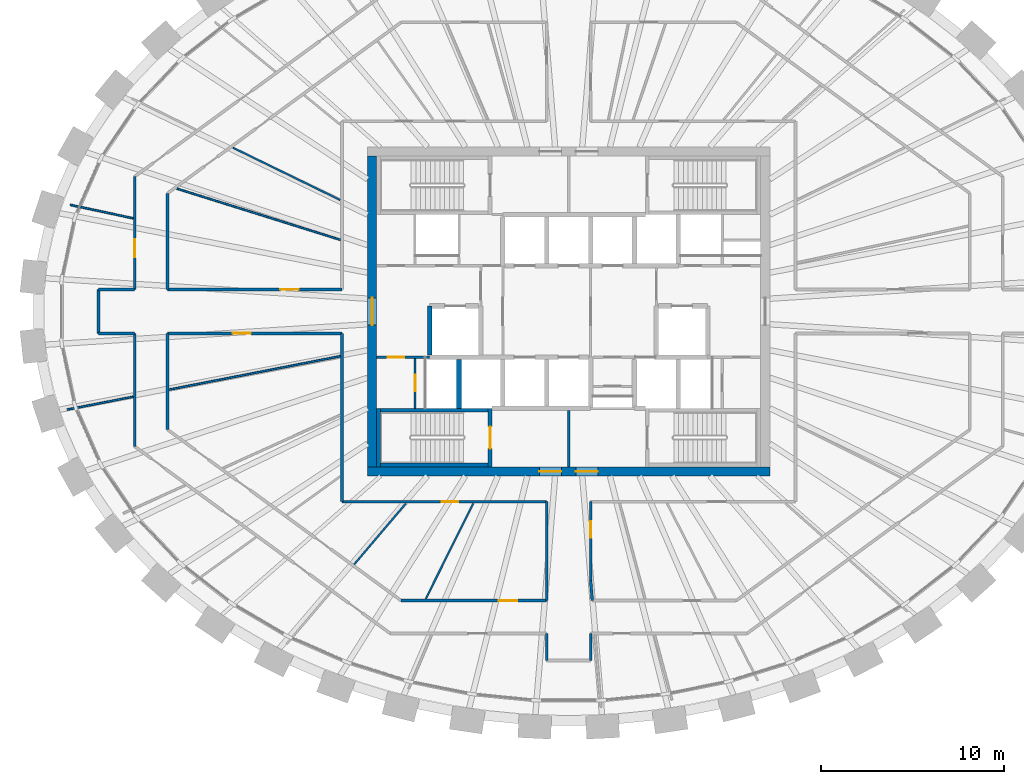
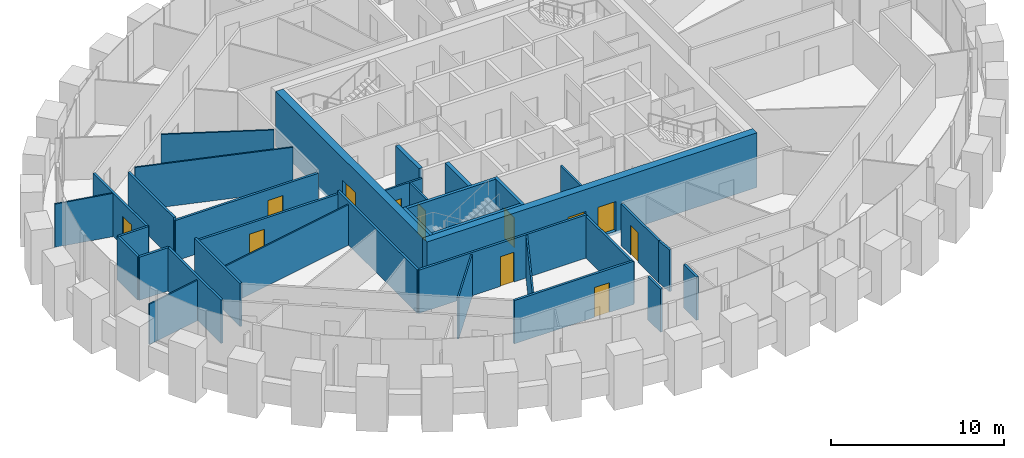
# One storey, part 6 of 11: 35 walls, 12 doors, 12 openings.
"""IFC4 building model written with IfcOpenShell, lengths in metres."""

from ifc_helpers import new_model, si_unit, direction, frame, frame_2d, origin, place, context, subcontext, project, spatial, rectangle, extrude, source, transform, mapped, material, layer, layer_set, type_object, element, fill, save


model = new_model("IFC4")

# Units and contexts
model_context = context("Model", 3, precision=1e-05, world=origin(), true_north=direction((0.0, 1.0)))
body_context = subcontext(model_context, "Body", "Model", "MODEL_VIEW")
ifc_project = project(units=[si_unit("LENGTHUNIT", "METRE"), si_unit("AREAUNIT", "SQUARE_METRE"), si_unit("VOLUMEUNIT", "CUBIC_METRE"), si_unit("PLANEANGLEUNIT", "RADIAN"), si_unit("MASSUNIT", "GRAM", prefix="KILO")], contexts=[model_context])

# Site, building, storey
site_placement = place(None, origin())
site = spatial("IfcSite", under=ifc_project, at=site_placement, CompositionType="ELEMENT")
building_placement = place(site_placement, origin())
building = spatial("IfcBuilding", under=site, at=building_placement, Name="Embergate Tower", CompositionType="ELEMENT")
storey_placement = place(building_placement, frame((0.0, 0.0, 328.60009765625)))
storey = spatial("IfcBuildingStorey", under=building, at=storey_placement, Name="L77", CompositionType="ELEMENT", Elevation=328.60009765625)

# Wall, openings, doors
ifc_material_1 = material(Name="Concrete C50", Category="concrete")
ifc_layer_1 = layer(ifc_material_1, 0.5)
ifc_layer_set_1 = layer_set([ifc_layer_1], Name="Concrete C50")
wall_type_1 = type_object("IfcWallType", Name="Core outer wall C50 500", PredefinedType="SHEAR", material=ifc_layer_set_1)
shared_shape_1 = source(origin(), body_context, "Body", "SweptSolid", [
    extrude(rectangle(XDim=22.0, YDim=0.5, at=frame_2d((11.0, 0.0))), origin(), (0.0, 0.0, 1.0), 3.85009765625),
])
wall_1_placement = place(storey_placement, frame((-11.0, -8.75, -0.2001953125), z_axis=(0.0, 0.0, 1.0), x_axis=(1.0, 0.0, 0.0)))
wall_1 = element("IfcWall", 1, at=wall_1_placement, inside=storey, type_object=wall_type_1, Name="CW-L77-S", PredefinedType="SHEAR", context=body_context, shape_type="MappedRepresentation", body=[
    mapped(shared_shape_1, transform((0.0, 0.0, 0.0))),
])
shared_shape_2 = source(origin(), body_context, "Body", "SweptSolid", [
    extrude(rectangle(XDim=1.199951171875, YDim=2.10009765625, at=frame_2d((0.60009765625, 1.050048828125))), frame((0.0, 0.260009765625, 0.0), z_axis=(0.0, -1.0, 0.0), x_axis=(1.0, 0.0, 0.0)), (0.0, 0.0, 1.0), 0.52001953125),
])
opening_1_placement = place(wall_1_placement, frame((9.39990234375, 0.0, 0.199951171875)))
opening_1 = element("IfcOpeningElement", 2, at=opening_1_placement, cuts=wall_1, Name="Opening IF-1", PredefinedType="OPENING", context=body_context, shape_type="MappedRepresentation", body=[
    mapped(shared_shape_2, transform((0.0, 0.0, 0.0))),
])
opening_2_placement = place(wall_1_placement, frame((11.39990234375, 0.0, 0.199951171875)))
opening_2 = element("IfcOpeningElement", 3, at=opening_2_placement, cuts=wall_1, Name="Opening IF-1", PredefinedType="OPENING", context=body_context, shape_type="MappedRepresentation", body=[
    mapped(shared_shape_2, transform((0.0, 0.0, 0.0))),
])
ifc_material_2 = material(Name="Escape fire door 1200")
door_type_1 = type_object("IfcDoorType", Name="Escape fire door 1200", OperationType="SINGLE_SWING_LEFT", PredefinedType="DOOR", material=ifc_material_2)
shared_shape_3 = source(origin(), body_context, "Body", "SweptSolid", [
    extrude(rectangle(XDim=1.199951171875, YDim=2.10009765625, at=frame_2d((0.60009765625, 1.050048828125))), frame((0.0, 0.02490234375, 0.0), z_axis=(0.0, -1.0, 0.0), x_axis=(1.0, 0.0, 0.0)), (0.0, 0.0, 1.0), 0.050048828125),
])
door_1_placement = place(opening_1_placement, origin())
door_1 = element("IfcDoor", 4, at=door_1_placement, inside=storey, type_object=door_type_1, Name="IF-1 door", OperationType="SINGLE_SWING_LEFT", OverallHeight=2.10009765625, OverallWidth=1.199951171875, PredefinedType="DOOR", context=body_context, shape_type="MappedRepresentation", body=[
    mapped(shared_shape_3, transform((0.0, 0.0, 0.0))),
])
fill(opening_1, door_1)
door_2_placement = place(opening_2_placement, origin())
door_2 = element("IfcDoor", 5, at=door_2_placement, inside=storey, type_object=door_type_1, Name="IF-1 door", OperationType="SINGLE_SWING_RIGHT", OverallHeight=2.10009765625, OverallWidth=1.199951171875, PredefinedType="DOOR", context=body_context, shape_type="MappedRepresentation", body=[
    mapped(shared_shape_3, transform((0.0, 0.0, 0.0))),
])
fill(opening_2, door_2)

# Wall, opening, door
shared_shape_4 = source(origin(), body_context, "Body", "SweptSolid", [
    extrude(rectangle(XDim=17.0, YDim=0.5, at=frame_2d((8.5, 0.0))), origin(), (0.0, 0.0, 1.0), 3.85009765625),
])
wall_2_placement = place(storey_placement, frame((-10.75, -8.5, -0.2001953125), z_axis=(0.0, 0.0, 1.0), x_axis=(0.0, 1.0, 0.0)))
wall_2 = element("IfcWall", 6, at=wall_2_placement, inside=storey, type_object=wall_type_1, Name="CW-L77-W", PredefinedType="SHEAR", context=body_context, shape_type="MappedRepresentation", body=[
    mapped(shared_shape_4, transform((0.0, 0.0, 0.0))),
])
shared_shape_5 = source(origin(), body_context, "Body", "SweptSolid", [
    extrude(rectangle(XDim=1.5, YDim=2.10009765625, at=frame_2d((0.75, 1.050048828125))), frame((0.0, 0.260009765625, 0.0), z_axis=(0.0, -1.0, 0.0), x_axis=(1.0, 0.0, 0.0)), (0.0, 0.0, 1.0), 0.52001953125),
])
opening_3_placement = place(wall_2_placement, frame((7.75, 0.0, 0.199951171875)))
opening_3 = element("IfcOpeningElement", 7, at=opening_3_placement, cuts=wall_2, Name="Opening IF-3", PredefinedType="OPENING", context=body_context, shape_type="MappedRepresentation", body=[
    mapped(shared_shape_5, transform((0.0, 0.0, 0.0))),
])
ifc_material_3 = material(Name="Lobby fire door pair 1500")
door_type_2 = type_object("IfcDoorType", Name="Lobby fire door pair 1500", OperationType="DOUBLE_DOOR_SINGLE_SWING", PredefinedType="DOOR", material=ifc_material_3)
shared_shape_6 = source(origin(), body_context, "Body", "SweptSolid", [
    extrude(rectangle(XDim=1.5, YDim=2.10009765625, at=frame_2d((0.75, 1.050048828125))), frame((0.0, 0.02490234375, 0.0), z_axis=(0.0, -1.0, 0.0), x_axis=(1.0, 0.0, 0.0)), (0.0, 0.0, 1.0), 0.050048828125),
])
door_3_placement = place(opening_3_placement, origin())
door_3 = element("IfcDoor", 8, at=door_3_placement, inside=storey, type_object=door_type_2, Name="IF-3 door", OperationType="DOUBLE_DOOR_SINGLE_SWING", OverallHeight=2.10009765625, OverallWidth=1.5, PredefinedType="DOOR", context=body_context, shape_type="MappedRepresentation", body=[
    mapped(shared_shape_6, transform((0.0, 0.0, 0.0))),
])
fill(opening_3, door_3)

# Wall
ifc_material_4 = material(Name="Corridor wall dry-lined 150")
ifc_layer_2 = layer(ifc_material_4, 0.14990234375)
ifc_layer_set_2 = layer_set([ifc_layer_2], Name="Corridor wall dry-lined 150")
wall_type_2 = type_object("IfcWallType", Name="Corridor wall dry-lined 150", PredefinedType="PARTITIONING", material=ifc_layer_set_2)
shared_shape_7 = source(origin(), body_context, "Body", "SweptSolid", [
    extrude(rectangle(XDim=6.178955078125, YDim=0.14990234375, at=frame_2d((3.08935546875, 0.0))), origin(), (0.0, 0.0, 1.0), 3.0498046875),
])
wall_3_placement = place(storey_placement, frame((-23.73291015625, -7.37890625, 0.0), z_axis=(0.0, 0.0, 1.0), x_axis=(0.0, 1.0, 0.0)))
element("IfcWall", 9, at=wall_3_placement, inside=storey, type_object=wall_type_2, Name="IP-2 wall", PredefinedType="PARTITIONING", context=body_context, shape_type="MappedRepresentation", body=[
    mapped(shared_shape_7, transform((0.0, 0.0, 0.0))),
])

# Wall, opening, door
wall_4_placement = place(storey_placement, frame((-23.73291015625, 1.199951171875, 0.0), z_axis=(0.0, 0.0, 1.0), x_axis=(0.0, 1.0, 0.0)))
wall_4 = element("IfcWall", 10, at=wall_4_placement, inside=storey, type_object=wall_type_2, Name="IP-2 wall", PredefinedType="PARTITIONING", context=body_context, shape_type="MappedRepresentation", body=[
    mapped(shared_shape_7, transform((0.0, 0.0, 0.0))),
])
shared_shape_8 = source(origin(), body_context, "Body", "SweptSolid", [
    extrude(rectangle(XDim=1.0, YDim=2.10009765625, at=frame_2d((0.5, 1.050048828125))), frame((0.0, 0.0849609375, 0.0), z_axis=(0.0, -1.0, 0.0), x_axis=(1.0, 0.0, 0.0)), (0.0, 0.0, 1.0), 0.169921875),
])
opening_4_placement = place(wall_4_placement, frame((1.757080078125, 0.0, 0.0)))
opening_4 = element("IfcOpeningElement", 11, at=opening_4_placement, cuts=wall_4, Name="Opening ID-2", PredefinedType="OPENING", context=body_context, shape_type="MappedRepresentation", body=[
    mapped(shared_shape_8, transform((0.0, 0.0, 0.0))),
])
ifc_material_5 = material(Name="Interior door 1000")
door_type_3 = type_object("IfcDoorType", Name="Interior door 1000", OperationType="SINGLE_SWING_LEFT", PredefinedType="DOOR", material=ifc_material_5)
shared_shape_9 = source(origin(), body_context, "Body", "SweptSolid", [
    extrude(rectangle(XDim=1.0, YDim=2.10009765625, at=frame_2d((0.5, 1.050048828125))), frame((0.0, 0.02490234375, 0.0), z_axis=(0.0, -1.0, 0.0), x_axis=(1.0, 0.0, 0.0)), (0.0, 0.0, 1.0), 0.050048828125),
])
door_4_placement = place(opening_4_placement, origin())
door_4 = element("IfcDoor", 12, at=door_4_placement, inside=storey, type_object=door_type_3, Name="ID-2 door", OperationType="SINGLE_SWING_LEFT", OverallHeight=2.10009765625, OverallWidth=1.0, PredefinedType="DOOR", context=body_context, shape_type="MappedRepresentation", body=[
    mapped(shared_shape_9, transform((0.0, 0.0, 0.0))),
])
fill(opening_4, door_4)

# Walls
shared_shape_10 = source(origin(), body_context, "Body", "SweptSolid", [
    extrude(rectangle(XDim=5.26513671875, YDim=0.14990234375, at=frame_2d((2.632568359375, 0.0))), origin(), (0.0, 0.0, 1.0), 3.0498046875),
])
for number, where, z_axis, x_axis, name in (
    (13, (-21.93310546875, -1.199951171875, 0.0), (0.0, 0.0, 1.0), (0.0, -1.0, 0.0), "IP-2 wall"),
    (14, (-21.93310546875, 1.199951171875, 0.0), (0.0, 0.0, 1.0), (0.0, 1.0, 0.0), "IP-2 wall"),
):
    element("IfcWall", number, at=place(storey_placement, frame(where, z_axis=z_axis, x_axis=x_axis)), inside=storey, type_object=wall_type_2, Name=name, PredefinedType="PARTITIONING", context=body_context, shape_type="MappedRepresentation", body=[
        mapped(shared_shape_10, transform((0.0, 0.0, 0.0))),
    ])
shared_shape_11 = source(origin(), body_context, "Body", "SweptSolid", [
    extrude(rectangle(XDim=9.199951171875, YDim=0.14990234375, at=frame_2d((4.60009765625, 0.0))), origin(), (0.0, 0.0, 1.0), 3.0498046875),
])
wall_5_placement = place(storey_placement, frame((-12.39990234375, -10.39990234375, 0.0), z_axis=(0.0, 0.0, 1.0), x_axis=(0.0, 1.0, 0.0)))
element("IfcWall", 15, at=wall_5_placement, inside=storey, type_object=wall_type_2, Name="IP-2 wall", PredefinedType="PARTITIONING", context=body_context, shape_type="MappedRepresentation", body=[
    mapped(shared_shape_11, transform((0.0, 0.0, 0.0))),
])

# Wall, opening, door
shared_shape_12 = source(origin(), body_context, "Body", "SweptSolid", [
    extrude(rectangle(XDim=11.199951171875, YDim=0.14990234375, at=frame_2d((5.60009765625, 0.0))), origin(), (0.0, 0.0, 1.0), 3.0498046875),
])
wall_6_placement = place(storey_placement, frame((-1.199951171875, -10.39990234375, 0.0), z_axis=(0.0, 0.0, 1.0), x_axis=(-1.0, 0.0, 0.0)))
wall_6 = element("IfcWall", 16, at=wall_6_placement, inside=storey, type_object=wall_type_2, Name="IP-2 wall", PredefinedType="PARTITIONING", context=body_context, shape_type="MappedRepresentation", body=[
    mapped(shared_shape_12, transform((0.0, 0.0, 0.0))),
])
shared_shape_13 = source(origin(), body_context, "Body", "SweptSolid", [
    extrude(rectangle(XDim=0.89990234375, YDim=2.10009765625, at=frame_2d((0.449951171875, 1.050048828125))), frame((0.0, 0.0849609375, 0.0), z_axis=(0.0, -1.0, 0.0), x_axis=(1.0, 0.0, 0.0)), (0.0, 0.0, 1.0), 0.169921875),
])
opening_5_placement = place(wall_6_placement, frame((4.85009765625, 0.0, 0.0)))
opening_5 = element("IfcOpeningElement", 17, at=opening_5_placement, cuts=wall_6, Name="Opening IF-1c", PredefinedType="OPENING", context=body_context, shape_type="MappedRepresentation", body=[
    mapped(shared_shape_13, transform((0.0, 0.0, 0.0))),
])
ifc_material_6 = material(Name="Escape fire door 900")
door_type_4 = type_object("IfcDoorType", Name="Escape fire door 900", OperationType="SINGLE_SWING_LEFT", PredefinedType="DOOR", material=ifc_material_6)
shared_shape_14 = source(origin(), body_context, "Body", "SweptSolid", [
    extrude(rectangle(XDim=0.89990234375, YDim=2.10009765625, at=frame_2d((0.449951171875, 1.050048828125))), frame((0.0, 0.02490234375, 0.0), z_axis=(0.0, -1.0, 0.0), x_axis=(1.0, 0.0, 0.0)), (0.0, 0.0, 1.0), 0.050048828125),
])
door_5_placement = place(opening_5_placement, origin())
door_5 = element("IfcDoor", 18, at=door_5_placement, inside=storey, type_object=door_type_4, Name="IF-1 door", OperationType="SINGLE_SWING_RIGHT", OverallHeight=2.10009765625, OverallWidth=0.89990234375, PredefinedType="DOOR", context=body_context, shape_type="MappedRepresentation", body=[
    mapped(shared_shape_14, transform((0.0, 0.0, 0.0))),
])
fill(opening_5, door_5)

# Walls
shared_shape_15 = source(origin(), body_context, "Body", "SweptSolid", [
    extrude(rectangle(XDim=1.476806640625, YDim=0.14990234375, at=frame_2d((0.73828125, 0.0))), origin(), (0.0, 0.0, 1.0), 3.0498046875),
])
for number, where, z_axis, x_axis, name in (
    (19, (1.199951171875, -17.611083984375, 0.0), (0.0, 0.0, 1.0), (0.0, -1.0, 0.0), "IP-2 wall"),
    (20, (-1.199951171875, -19.087890625, 0.0), (0.0, 0.0, 1.0), (0.0, 1.0, 0.0), "IP-2 wall"),
):
    element("IfcWall", number, at=place(storey_placement, frame(where, z_axis=z_axis, x_axis=x_axis)), inside=storey, type_object=wall_type_2, Name=name, PredefinedType="PARTITIONING", context=body_context, shape_type="MappedRepresentation", body=[
        mapped(shared_shape_15, transform((0.0, 0.0, 0.0))),
    ])
shared_shape_16 = source(origin(), body_context, "Body", "SweptSolid", [
    extrude(rectangle(XDim=2.39990234375, YDim=0.14990234375, at=frame_2d((1.199951171875, 0.0))), origin(), (0.0, 0.0, 1.0), 3.0498046875),
])
wall_7_placement = place(storey_placement, frame((-25.714111328125, -1.199951171875, 0.0), z_axis=(0.0, 0.0, 1.0), x_axis=(0.0, 1.0, 0.0)))
element("IfcWall", 21, at=wall_7_placement, inside=storey, type_object=wall_type_2, Name="IP-2 wall", PredefinedType="PARTITIONING", context=body_context, shape_type="MappedRepresentation", body=[
    mapped(shared_shape_16, transform((0.0, 0.0, 0.0))),
])

# Wall, opening, door
shared_shape_17 = source(origin(), body_context, "Body", "SweptSolid", [
    extrude(rectangle(XDim=7.963134765625, YDim=0.14990234375, at=frame_2d((3.9814453125, 0.0))), origin(), (0.0, 0.0, 1.0), 3.0498046875),
])
wall_8_placement = place(storey_placement, frame((-1.199951171875, -15.81103515625, 0.0), z_axis=(0.0, 0.0, 1.0), x_axis=(-1.0, 0.0, 0.0)))
wall_8 = element("IfcWall", 22, at=wall_8_placement, inside=storey, type_object=wall_type_2, Name="IP-2 wall", PredefinedType="PARTITIONING", context=body_context, shape_type="MappedRepresentation", body=[
    mapped(shared_shape_17, transform((0.0, 0.0, 0.0))),
])
opening_6_placement = place(wall_8_placement, frame((1.616943359375, 0.0, 0.0)))
opening_6 = element("IfcOpeningElement", 23, at=opening_6_placement, cuts=wall_8, Name="Opening ID-2", PredefinedType="OPENING", context=body_context, shape_type="MappedRepresentation", body=[
    mapped(shared_shape_8, transform((0.0, 0.0, 0.0))),
])
door_6_placement = place(opening_6_placement, origin())
door_6 = element("IfcDoor", 24, at=door_6_placement, inside=storey, type_object=door_type_3, Name="ID-2 door", OperationType="SINGLE_SWING_RIGHT", OverallHeight=2.10009765625, OverallWidth=1.0, PredefinedType="DOOR", context=body_context, shape_type="MappedRepresentation", body=[
    mapped(shared_shape_9, transform((0.0, 0.0, 0.0))),
])
fill(opening_6, door_6)

# Walls
shared_shape_18 = source(origin(), body_context, "Body", "SweptSolid", [
    extrude(rectangle(XDim=5.4111328125, YDim=0.14990234375, at=frame_2d((2.70556640625, 0.0))), origin(), (0.0, 0.0, 1.0), 2.949951171875),
])
wall_9_placement = place(storey_placement, frame((-1.199951171875, -10.39990234375, 0.0), z_axis=(0.0, 0.0, 1.0), x_axis=(0.0, -1.0, 0.0)))
element("IfcWall", 25, at=wall_9_placement, inside=storey, type_object=wall_type_2, Name="IP-2 wall", PredefinedType="PARTITIONING", context=body_context, shape_type="MappedRepresentation", body=[
    mapped(shared_shape_18, transform((0.0, 0.0, 0.0))),
])
shared_shape_19 = source(origin(), body_context, "Body", "SweptSolid", [
    extrude(rectangle(XDim=1.110595703125, YDim=0.14990234375, at=frame_2d((0.55517578125, 0.0))), origin(), (0.0, 0.0, 1.0), 2.949951171875),
])
wall_10_placement = place(storey_placement, frame((1.2900390625, -15.81103515625, 0.0), z_axis=(0.0, 0.0, 1.0), x_axis=(-0.081116893589, 0.99670459494, 0.0)))
element("IfcWall", 26, at=wall_10_placement, inside=storey, type_object=wall_type_2, Name="IP-2 wall", PredefinedType="PARTITIONING", context=body_context, shape_type="MappedRepresentation", body=[
    mapped(shared_shape_19, transform((0.0, 0.0, 0.0))),
])

# Wall, opening, door
shared_shape_20 = source(origin(), body_context, "Body", "SweptSolid", [
    extrude(rectangle(XDim=4.30419921875, YDim=0.14990234375, at=frame_2d((2.152099609375, 0.0))), origin(), (0.0, 0.0, 1.0), 2.949951171875),
])
wall_11_placement = place(storey_placement, frame((1.199951171875, -14.7041015625, 0.0), z_axis=(0.0, 0.0, 1.0), x_axis=(0.0, 1.0, 0.0)))
wall_11 = element("IfcWall", 27, at=wall_11_placement, inside=storey, type_object=wall_type_2, Name="IP-2 wall", PredefinedType="PARTITIONING", context=body_context, shape_type="MappedRepresentation", body=[
    mapped(shared_shape_20, transform((0.0, 0.0, 0.0))),
])
opening_7_placement = place(wall_11_placement, frame((2.3349609375, 0.0, 0.0)))
opening_7 = element("IfcOpeningElement", 28, at=opening_7_placement, cuts=wall_11, Name="Opening IF-1c", PredefinedType="OPENING", context=body_context, shape_type="MappedRepresentation", body=[
    mapped(shared_shape_13, transform((0.0, 0.0, 0.0))),
])
door_7_placement = place(opening_7_placement, origin())
door_7 = element("IfcDoor", 29, at=door_7_placement, inside=storey, type_object=door_type_4, Name="IF-1 door", OperationType="SINGLE_SWING_RIGHT", OverallHeight=2.10009765625, OverallWidth=0.89990234375, PredefinedType="DOOR", context=body_context, shape_type="MappedRepresentation", body=[
    mapped(shared_shape_14, transform((0.0, 0.0, 0.0))),
])
fill(opening_7, door_7)

# Walls
shared_shape_21 = source(origin(), body_context, "Body", "SweptSolid", [
    extrude(rectangle(XDim=1.981201171875, YDim=0.14990234375, at=frame_2d((0.99072265625, 0.0))), origin(), (0.0, 0.0, 1.0), 3.0498046875),
])
for number, where, z_axis, x_axis, name in (
    (30, (-23.73291015625, -1.199951171875, 0.0), (0.0, 0.0, 1.0), (-1.0, 0.0, 0.0), "IP-2 wall"),
    (31, (-25.714111328125, 1.199951171875, 0.0), (0.0, 0.0, 1.0), (1.0, 0.0, 0.0), "IP-2 wall"),
):
    element("IfcWall", number, at=place(storey_placement, frame(where, z_axis=z_axis, x_axis=x_axis)), inside=storey, type_object=wall_type_2, Name=name, PredefinedType="PARTITIONING", context=body_context, shape_type="MappedRepresentation", body=[
        mapped(shared_shape_21, transform((0.0, 0.0, 0.0))),
    ])

# Wall, opening, door
shared_shape_22 = source(origin(), body_context, "Body", "SweptSolid", [
    extrude(rectangle(XDim=9.533203125, YDim=0.14990234375, at=frame_2d((4.7666015625, 0.0))), origin(), (0.0, 0.0, 1.0), 2.849853515625),
])
wall_12_placement = place(storey_placement, frame((-12.39990234375, 1.199951171875, 0.0), z_axis=(0.0, 0.0, 1.0), x_axis=(-1.0, 0.0, 0.0)))
wall_12 = element("IfcWall", 32, at=wall_12_placement, inside=storey, type_object=wall_type_2, Name="IP-2 wall", PredefinedType="PARTITIONING", context=body_context, shape_type="MappedRepresentation", body=[
    mapped(shared_shape_22, transform((0.0, 0.0, 0.0))),
])
opening_8_placement = place(wall_12_placement, frame((2.363037109375, 0.0, 0.0)))
opening_8 = element("IfcOpeningElement", 33, at=opening_8_placement, cuts=wall_12, Name="Opening ID-2", PredefinedType="OPENING", context=body_context, shape_type="MappedRepresentation", body=[
    mapped(shared_shape_8, transform((0.0, 0.0, 0.0))),
])
door_8_placement = place(opening_8_placement, origin())
door_8 = element("IfcDoor", 34, at=door_8_placement, inside=storey, type_object=door_type_3, Name="ID-2 door", OperationType="SINGLE_SWING_LEFT", OverallHeight=2.10009765625, OverallWidth=1.0, PredefinedType="DOOR", context=body_context, shape_type="MappedRepresentation", body=[
    mapped(shared_shape_9, transform((0.0, 0.0, 0.0))),
])
fill(opening_8, door_8)

wall_13_placement = place(storey_placement, frame((-12.39990234375, -1.199951171875, 0.0), z_axis=(0.0, 0.0, 1.0), x_axis=(-1.0, 0.0, 0.0)))
wall_13 = element("IfcWall", 35, at=wall_13_placement, inside=storey, type_object=wall_type_2, Name="IP-2 wall", PredefinedType="PARTITIONING", context=body_context, shape_type="MappedRepresentation", body=[
    mapped(shared_shape_22, transform((0.0, 0.0, 0.0))),
])
opening_9_placement = place(wall_13_placement, frame((4.97998046875, 0.0, 0.0)))
opening_9 = element("IfcOpeningElement", 36, at=opening_9_placement, cuts=wall_13, Name="Opening ID-2", PredefinedType="OPENING", context=body_context, shape_type="MappedRepresentation", body=[
    mapped(shared_shape_8, transform((0.0, 0.0, 0.0))),
])
door_9_placement = place(opening_9_placement, origin())
door_9 = element("IfcDoor", 37, at=door_9_placement, inside=storey, type_object=door_type_3, Name="ID-2 door", OperationType="SINGLE_SWING_LEFT", OverallHeight=2.10009765625, OverallWidth=1.0, PredefinedType="DOOR", context=body_context, shape_type="MappedRepresentation", body=[
    mapped(shared_shape_9, transform((0.0, 0.0, 0.0))),
])
fill(opening_9, door_9)

# Walls
ifc_material_7 = material(Name="Partition dry-lined 100")
ifc_layer_3 = layer(ifc_material_7, 0.10009765625)
ifc_layer_set_3 = layer_set([ifc_layer_3], Name="Partition dry-lined 100")
wall_type_3 = type_object("IfcWallType", Name="Partition dry-lined 100", PredefinedType="PARTITIONING", material=ifc_layer_set_3)
shared_shape_23 = source(origin(), body_context, "Body", "SweptSolid", [
    extrude(rectangle(XDim=3.6787109375, YDim=0.10009765625, at=frame_2d((1.83935546875, 0.0))), origin(), (0.0, 0.0, 1.0), 2.849853515625),
])
wall_14_placement = place(storey_placement, frame((-23.81689453125, -4.6630859375, 0.0), z_axis=(0.0, 0.0, 1.0), x_axis=(-0.981356478925, -0.192196413266, 0.0)))
element("IfcWall", 38, at=wall_14_placement, inside=storey, type_object=wall_type_3, Name="IP-1 wall", PredefinedType="PARTITIONING", context=body_context, shape_type="MappedRepresentation", body=[
    mapped(shared_shape_23, transform((0.0, 0.0, 0.0))),
])
shared_shape_24 = source(origin(), body_context, "Body", "SweptSolid", [
    extrude(rectangle(XDim=9.54052734375, YDim=0.10009765625, at=frame_2d((4.770263671875, 0.0))), origin(), (0.0, 0.0, 1.0), 2.849853515625),
])
wall_15_placement = place(storey_placement, frame((-12.485107421875, -2.444091796875, 0.0), z_axis=(0.0, 0.0, 1.0), x_axis=(-0.981369795275, -0.192128407377, 0.0)))
element("IfcWall", 39, at=wall_15_placement, inside=storey, type_object=wall_type_3, Name="IP-1 wall", PredefinedType="PARTITIONING", context=body_context, shape_type="MappedRepresentation", body=[
    mapped(shared_shape_24, transform((0.0, 0.0, 0.0))),
])
shared_shape_25 = source(origin(), body_context, "Body", "SweptSolid", [
    extrude(rectangle(XDim=4.365478515625, YDim=0.10009765625, at=frame_2d((2.1826171875, 0.0))), origin(), (0.0, 0.0, 1.0), 2.949951171875),
])
wall_16_placement = place(storey_placement, frame((-8.910888671875, -10.507080078125, 0.0), z_axis=(0.0, 0.0, 1.0), x_axis=(-0.64666898275, -0.762770756354, 0.0)))
element("IfcWall", 40, at=wall_16_placement, inside=storey, type_object=wall_type_3, Name="IP-1 wall", PredefinedType="PARTITIONING", context=body_context, shape_type="MappedRepresentation", body=[
    mapped(shared_shape_25, transform((0.0, 0.0, 0.0))),
])
shared_shape_26 = source(origin(), body_context, "Body", "SweptSolid", [
    extrude(rectangle(XDim=5.82666015625, YDim=0.10009765625, at=frame_2d((2.913330078125, 0.0))), origin(), (0.0, 0.0, 1.0), 3.0498046875),
])
wall_17_placement = place(storey_placement, frame((-5.219970703125, -10.4970703125, 0.0), z_axis=(0.0, 0.0, 1.0), x_axis=(-0.445352279929, -0.895355430408, 0.0)))
element("IfcWall", 41, at=wall_17_placement, inside=storey, type_object=wall_type_3, Name="IP-1 wall", PredefinedType="PARTITIONING", context=body_context, shape_type="MappedRepresentation", body=[
    mapped(shared_shape_26, transform((0.0, 0.0, 0.0))),
])
shared_shape_27 = source(origin(), body_context, "Body", "SweptSolid", [
    extrude(rectangle(XDim=6.525634765625, YDim=0.10009765625, at=frame_2d((3.2626953125, 0.0))), origin(), (0.0, 0.0, 1.0), 2.949951171875),
])
wall_18_placement = place(storey_placement, frame((-12.4970703125, 6.095947265625, 0.0), z_axis=(0.0, 0.0, 1.0), x_axis=(-0.898761613835, 0.438437636953, 0.0)))
element("IfcWall", 42, at=wall_18_placement, inside=storey, type_object=wall_type_3, Name="IP-1 wall", PredefinedType="PARTITIONING", context=body_context, shape_type="MappedRepresentation", body=[
    mapped(shared_shape_27, transform((0.0, 0.0, 0.0))),
])
shared_shape_28 = source(origin(), body_context, "Body", "SweptSolid", [
    extrude(rectangle(XDim=3.519775390625, YDim=0.10009765625, at=frame_2d((1.759765625, 0.0))), origin(), (0.0, 0.0, 1.0), 3.0498046875),
])
wall_19_placement = place(storey_placement, frame((-23.818115234375, 5.094970703125, 0.0), z_axis=(0.0, 0.0, 1.0), x_axis=(-0.97788759955, 0.209131161345, 0.0)))
element("IfcWall", 43, at=wall_19_placement, inside=storey, type_object=wall_type_3, Name="IP-1 wall", PredefinedType="PARTITIONING", context=body_context, shape_type="MappedRepresentation", body=[
    mapped(shared_shape_28, transform((0.0, 0.0, 0.0))),
])
shared_shape_29 = source(origin(), body_context, "Body", "SweptSolid", [
    extrude(rectangle(XDim=9.352783203125, YDim=0.10009765625, at=frame_2d((4.67626953125, 0.0))), origin(), (0.0, 0.0, 1.0), 3.0498046875),
])
wall_20_placement = place(storey_placement, frame((-12.489990234375, 3.9169921875, 0.0), z_axis=(0.0, 0.0, 1.0), x_axis=(-0.95416592853, 0.299278099488, 0.0)))
element("IfcWall", 44, at=wall_20_placement, inside=storey, type_object=wall_type_3, Name="IP-1 wall", PredefinedType="PARTITIONING", context=body_context, shape_type="MappedRepresentation", body=[
    mapped(shared_shape_29, transform((0.0, 0.0, 0.0))),
])
ifc_layer_4 = layer(ifc_material_1, 0.199951171875)
ifc_layer_set_4 = layer_set([ifc_layer_4], Name="Concrete C50")
wall_type_4 = type_object("IfcWallType", Name="Stair enclosure wall reinforced concrete 250", PredefinedType="SHEAR", material=ifc_layer_set_4)
shared_shape_30 = source(origin(), body_context, "Body", "SweptSolid", [
    extrude(rectangle(XDim=6.300048828125, YDim=0.199951171875, at=frame_2d((3.14990234375, 0.0))), origin(), (0.0, 0.0, 1.0), 3.64990234375),
])
wall_21_placement = place(storey_placement, frame((-10.5, -5.39990234375, 0.0), z_axis=(0.0, 0.0, 1.0), x_axis=(1.0, 0.0, 0.0)))
element("IfcWall", 45, at=wall_21_placement, inside=storey, type_object=wall_type_4, Name="SE-1 wall", PredefinedType="SHEAR", context=body_context, shape_type="MappedRepresentation", body=[
    mapped(shared_shape_30, transform((0.0, 0.0, 0.0))),
])

# Wall, opening, door
ifc_material_8 = material(Name="Core partition blockwork 120")
ifc_layer_5 = layer(ifc_material_8, 0.1201171875)
ifc_layer_set_5 = layer_set([ifc_layer_5], Name="Core partition blockwork 120")
wall_type_5 = type_object("IfcWallType", Name="Core partition blockwork 120", PredefinedType="PARTITIONING", material=ifc_layer_set_5)
shared_shape_31 = source(origin(), body_context, "Body", "SweptSolid", [
    extrude(rectangle(XDim=2.739990234375, YDim=0.1201171875, at=frame_2d((1.3701171875, 0.0))), origin(), (0.0, 0.0, 1.0), 3.0498046875),
])
wall_22_placement = place(storey_placement, frame((-8.39990234375, -2.56005859375, 0.0), z_axis=(0.0, 0.0, 1.0), x_axis=(0.0, -1.0, 0.0)))
wall_22 = element("IfcWall", 46, at=wall_22_placement, inside=storey, type_object=wall_type_5, Name="IP-3 wall", PredefinedType="PARTITIONING", context=body_context, shape_type="MappedRepresentation", body=[
    mapped(shared_shape_31, transform((0.0, 0.0, 0.0))),
])
shared_shape_32 = source(origin(), body_context, "Body", "SweptSolid", [
    extrude(rectangle(XDim=0.89990234375, YDim=2.10009765625, at=frame_2d((0.449951171875, 1.050048828125))), frame((0.0, 0.070068359375, 0.0), z_axis=(0.0, -1.0, 0.0), x_axis=(1.0, 0.0, 0.0)), (0.0, 0.0, 1.0), 0.14013671875),
])
opening_10_placement = place(wall_22_placement, frame((0.889892578125, 0.0, 0.0)))
opening_10 = element("IfcOpeningElement", 47, at=opening_10_placement, cuts=wall_22, Name="Opening ID-1", PredefinedType="OPENING", context=body_context, shape_type="MappedRepresentation", body=[
    mapped(shared_shape_32, transform((0.0, 0.0, 0.0))),
])
ifc_material_9 = material(Name="Interior door 900")
door_type_5 = type_object("IfcDoorType", Name="Interior door 900", OperationType="SINGLE_SWING_LEFT", PredefinedType="DOOR", material=ifc_material_9)
door_10_placement = place(opening_10_placement, origin())
door_10 = element("IfcDoor", 48, at=door_10_placement, inside=storey, type_object=door_type_5, Name="ID-1 door", OperationType="SINGLE_SWING_LEFT", OverallHeight=2.10009765625, OverallWidth=0.89990234375, PredefinedType="DOOR", context=body_context, shape_type="MappedRepresentation", body=[
    mapped(shared_shape_14, transform((0.0, 0.0, 0.0))),
])
fill(opening_10, door_10)

# Walls
ifc_layer_6 = layer(ifc_material_1, 0.25)
ifc_layer_set_6 = layer_set([ifc_layer_6], Name="Concrete C50")
wall_type_6 = type_object("IfcWallType", Name="Hoistway wall reinforced concrete 250", PredefinedType="SHEAR", material=ifc_layer_set_6)
shared_shape_33 = source(origin(), body_context, "Body", "SweptSolid", [
    extrude(rectangle(XDim=2.675048828125, YDim=0.25, at=frame_2d((1.33740234375, 0.0))), origin(), (0.0, 0.0, 1.0), 3.64990234375),
])
for number, where, z_axis, x_axis, name in (
    (49, (-6.0, -5.300048828125, 0.0), (0.0, 0.0, 1.0), (0.0, 1.0, 0.0), "HW-1 wall"),
    (50, (-7.60009765625, 0.300048828125, 0.0), (0.0, 0.0, 1.0), (0.0, -1.0, 0.0), "HW-1 wall"),
):
    element("IfcWall", number, at=place(storey_placement, frame(where, z_axis=z_axis, x_axis=x_axis)), inside=storey, type_object=wall_type_6, Name=name, PredefinedType="SHEAR", context=body_context, shape_type="MappedRepresentation", body=[
        mapped(shared_shape_33, transform((0.0, 0.0, 0.0))),
    ])

# Wall, opening, door
shared_shape_34 = source(origin(), body_context, "Body", "SweptSolid", [
    extrude(rectangle(XDim=2.89990234375, YDim=0.1201171875, at=frame_2d((1.449951171875, 0.0))), origin(), (0.0, 0.0, 1.0), 3.0498046875),
])
wall_23_placement = place(storey_placement, frame((-7.60009765625, -2.5, 0.0), z_axis=(0.0, 0.0, 1.0), x_axis=(-1.0, 0.0, 0.0)))
wall_23 = element("IfcWall", 51, at=wall_23_placement, inside=storey, type_object=wall_type_5, Name="IP-3 wall", PredefinedType="PARTITIONING", context=body_context, shape_type="MappedRepresentation", body=[
    mapped(shared_shape_34, transform((0.0, 0.0, 0.0))),
])
opening_11_placement = place(wall_23_placement, frame((1.39990234375, 0.0, 0.0)))
opening_11 = element("IfcOpeningElement", 52, at=opening_11_placement, cuts=wall_23, Name="Opening ID-1", PredefinedType="OPENING", context=body_context, shape_type="MappedRepresentation", body=[
    mapped(shared_shape_32, transform((0.0, 0.0, 0.0))),
])
door_11_placement = place(opening_11_placement, origin())
door_11 = element("IfcDoor", 53, at=door_11_placement, inside=storey, type_object=door_type_5, Name="ID-1 door", OperationType="SINGLE_SWING_RIGHT", OverallHeight=2.10009765625, OverallWidth=0.89990234375, PredefinedType="DOOR", context=body_context, shape_type="MappedRepresentation", body=[
    mapped(shared_shape_14, transform((0.0, 0.0, 0.0))),
])
fill(opening_11, door_11)

shared_shape_35 = source(origin(), body_context, "Body", "SweptSolid", [
    extrude(rectangle(XDim=3.199951171875, YDim=0.199951171875, at=frame_2d((1.60009765625, 0.0))), origin(), (0.0, 0.0, 1.0), 3.64990234375),
])
wall_24_placement = place(storey_placement, frame((-4.300048828125, -8.5, 0.0), z_axis=(0.0, 0.0, 1.0), x_axis=(0.0, 1.0, 0.0)))
wall_24 = element("IfcWall", 54, at=wall_24_placement, inside=storey, type_object=wall_type_4, Name="SE-1 wall", PredefinedType="SHEAR", context=body_context, shape_type="MappedRepresentation", body=[
    mapped(shared_shape_35, transform((0.0, 0.0, 0.0))),
])
shared_shape_36 = source(origin(), body_context, "Body", "SweptSolid", [
    extrude(rectangle(XDim=1.199951171875, YDim=2.10009765625, at=frame_2d((0.60009765625, 1.050048828125))), frame((0.0, 0.10986328125, 0.0), z_axis=(0.0, -1.0, 0.0), x_axis=(1.0, 0.0, 0.0)), (0.0, 0.0, 1.0), 0.219970703125),
])
opening_12_placement = place(wall_24_placement, frame((1.0, 0.0, 0.0)))
opening_12 = element("IfcOpeningElement", 55, at=opening_12_placement, cuts=wall_24, Name="Opening IF-2", PredefinedType="OPENING", context=body_context, shape_type="MappedRepresentation", body=[
    mapped(shared_shape_36, transform((0.0, 0.0, 0.0))),
])
ifc_material_10 = material(Name="Stair enclosure door 1200")
door_type_6 = type_object("IfcDoorType", Name="Stair enclosure door 1200", OperationType="SINGLE_SWING_LEFT", PredefinedType="DOOR", material=ifc_material_10)
door_12_placement = place(opening_12_placement, origin())
door_12 = element("IfcDoor", 56, at=door_12_placement, inside=storey, type_object=door_type_6, Name="IF-2 door", OperationType="SINGLE_SWING_LEFT", OverallHeight=2.10009765625, OverallWidth=1.199951171875, PredefinedType="DOOR", context=body_context, shape_type="MappedRepresentation", body=[
    mapped(shared_shape_3, transform((0.0, 0.0, 0.0))),
])
fill(opening_12, door_12)

# Walls
shared_shape_37 = source(origin(), body_context, "Body", "SweptSolid", [
    extrude(rectangle(XDim=3.074951171875, YDim=0.1201171875, at=frame_2d((1.53759765625, 0.0))), origin(), (0.0, 0.0, 1.0), 3.0498046875),
])
wall_25_placement = place(storey_placement, frame((0.0, -8.5, 0.0), z_axis=(0.0, 0.0, 1.0), x_axis=(0.0, 1.0, 0.0)))
element("IfcWall", 57, at=wall_25_placement, inside=storey, type_object=wall_type_5, Name="IP-3 wall", PredefinedType="PARTITIONING", context=body_context, shape_type="MappedRepresentation", body=[
    mapped(shared_shape_37, transform((0.0, 0.0, 0.0))),
])
shared_shape_38 = source(origin(), body_context, "Body", "SweptSolid", [
    extrude(rectangle(XDim=6.298095703125, YDim=0.199951171875, at=frame_2d((3.14892578125, 0.0))), origin(), (0.0, 0.0, 1.0), 3.64990234375),
])
wall_26_placement = place(storey_placement, frame((-10.5, -8.39990234375, 0.0), z_axis=(0.0, 0.0, 1.0), x_axis=(1.0, 0.0, 0.0)))
element("IfcWall", 58, at=wall_26_placement, inside=storey, type_object=wall_type_4, Name="SE-1 wall", PredefinedType="SHEAR", context=body_context, shape_type="MappedRepresentation", body=[
    mapped(shared_shape_38, transform((0.0, 0.0, 0.0))),
])
shared_shape_39 = source(origin(), body_context, "Body", "SweptSolid", [
    extrude(rectangle(XDim=3.197998046875, YDim=0.199951171875, at=frame_2d((1.59912109375, 0.0))), origin(), (0.0, 0.0, 1.0), 3.64990234375),
])
wall_27_placement = place(storey_placement, frame((-10.39990234375, -5.302001953125, 0.0), z_axis=(0.0, 0.0, 1.0), x_axis=(0.0, -1.0, 0.0)))
element("IfcWall", 59, at=wall_27_placement, inside=storey, type_object=wall_type_4, Name="SE-1 wall", PredefinedType="SHEAR", context=body_context, shape_type="MappedRepresentation", body=[
    mapped(shared_shape_39, transform((0.0, 0.0, 0.0))),
])

save(model, "model.ifc")
